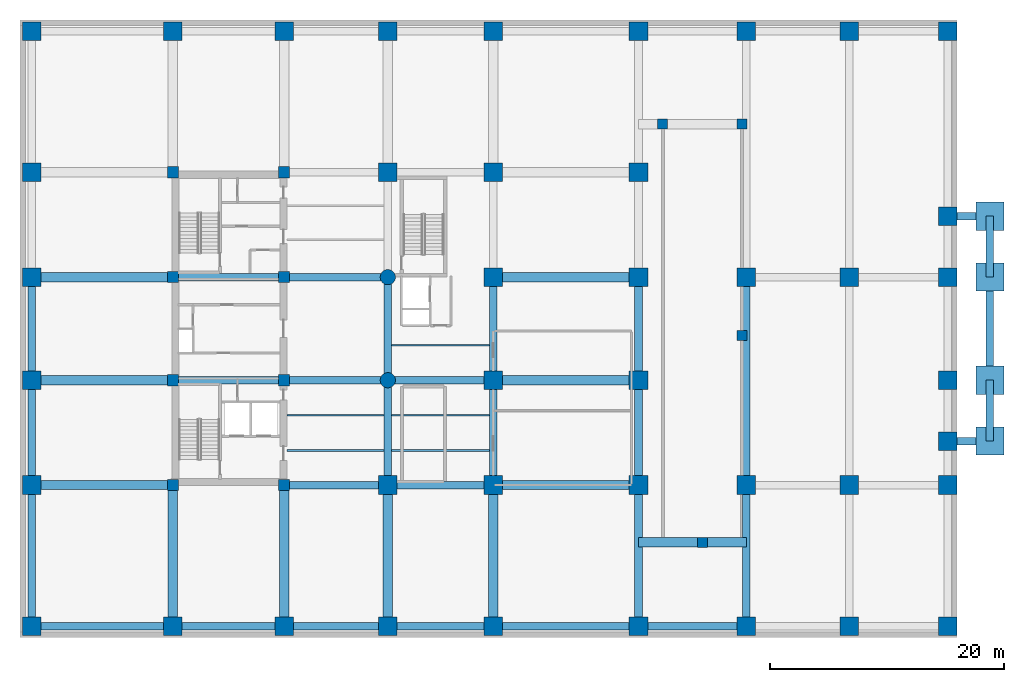
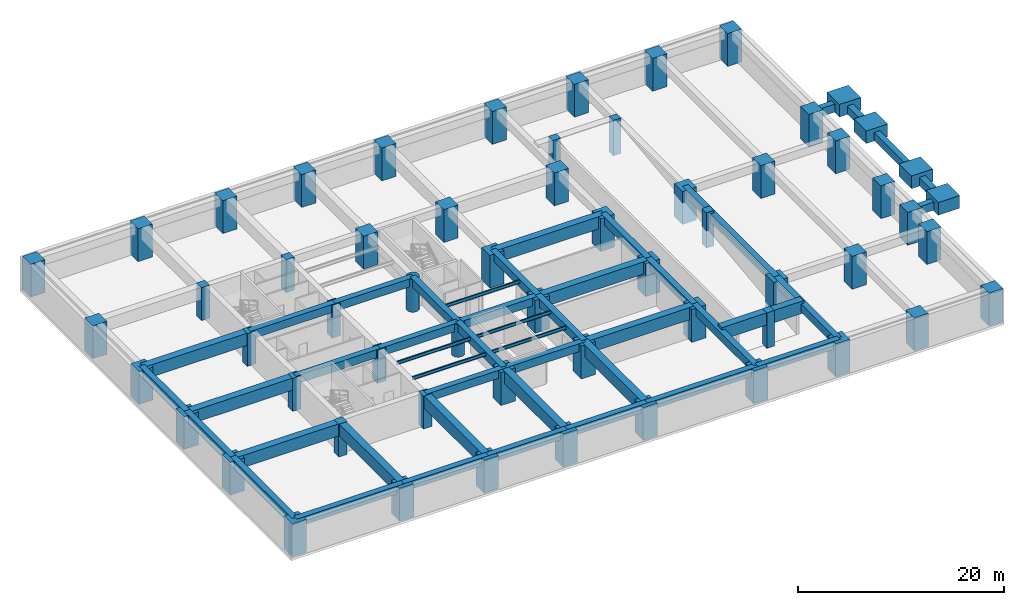
# One storey, part 1 of 7: 55 columns, 41 beams, 9 footings.
"""IFC4 building model written with IfcOpenShell, lengths in metres."""

import ifcopenshell
import ifcopenshell.guid

model = None  # the IFC model being written
_history = None  # IfcOwnerHistory: only IFC2X3 demands one
_inside = {}  # id of a spatial element -> (the spatial element, [elements in it])
_under = {}  # id of a project, library or spatial element -> (it, [spatial elements below it])
_declared = {}  # id of a project -> (the project, [libraries it declares])
_typed = {}  # id of a type object -> (the type object, [elements of that type])
_made_of = {}  # id of a material, layer set ... -> (it, [elements and type objects made of it])


def new_model(schema):
    """Start an empty IFC model of exactly this schema.

    Asked for "IFC4X3", IfcOpenShell would pick the latest addendum, in which some entities
    have other attributes; the version numbers below select the first issue.
    IFC2X3 requires an IfcOwnerHistory on every rooted entity: one is made here for all.
    """
    global model, _history
    if schema == "IFC4X3":
        model = ifcopenshell.file(schema_version=(4, 3, 0, 0))
    else:
        model = ifcopenshell.file(schema=schema)
    _inside.clear()
    _under.clear()
    _declared.clear()
    _typed.clear()
    _made_of.clear()
    _history = None
    if model.schema == "IFC2X3":
        org = make("IfcOrganization", Name="unknown")
        user = make(
            "IfcPersonAndOrganization",
            ThePerson=make("IfcPerson", FamilyName="unknown"),
            TheOrganization=org,
        )
        app = make(
            "IfcApplication",
            ApplicationDeveloper=org,
            Version="unknown",
            ApplicationFullName="unknown",
            ApplicationIdentifier="unknown",
        )
        _history = make(
            "IfcOwnerHistory",
            OwningUser=user,
            OwningApplication=app,
            ChangeAction="ADDED",
            CreationDate=0,
        )
    return model


def make(cls, **values):
    """One entity of the class cls with the attributes given. An attribute that is None is left unset."""
    return model.create_entity(
        cls, **{name: value for name, value in values.items() if value is not None}
    )


def rooted(cls, **values):
    """An entity with a GlobalId (a new one), such as an element, a storey or a relation."""
    return make(cls, GlobalId=ifcopenshell.guid.new(), OwnerHistory=_history, **values)


def si_unit(unit_type, name, prefix=None):
    """IfcSIUnit, for example si_unit("LENGTHUNIT", "METRE", prefix="MILLI")."""
    return make("IfcSIUnit", UnitType=unit_type, Prefix=prefix, Name=name)


def assignment(units):
    """IfcUnitAssignment: the units of a project."""
    return None if units is None else make("IfcUnitAssignment", Units=units)


def point(xyz):
    """IfcCartesianPoint."""
    return None if xyz is None else make("IfcCartesianPoint", Coordinates=xyz)


def direction(xyz):
    """IfcDirection."""
    return None if xyz is None else make("IfcDirection", DirectionRatios=xyz)


def frame(location, z_axis=None, x_axis=None):
    """IfcAxis2Placement3D, a coordinate frame: its origin and axes. An axis left out is left unset."""
    return make(
        "IfcAxis2Placement3D",
        Location=point(location),
        Axis=direction(z_axis),
        RefDirection=direction(x_axis),
    )


def frame_2d(location, x_axis=None):
    """IfcAxis2Placement2D, a coordinate frame in the plane: its origin and x axis."""
    return make(
        "IfcAxis2Placement2D", Location=point(location), RefDirection=direction(x_axis)
    )


def origin():
    """The frame at (0, 0, 0) with its axes left unset."""
    return frame((0.0, 0.0, 0.0))


def origin_2d():
    """The frame at (0, 0) in the plane with its x axis left unset."""
    return frame_2d((0.0, 0.0))


def place(relative_to, where):
    """IfcLocalPlacement: puts the frame where relative to a parent placement (None: the world)."""
    return make(
        "IfcLocalPlacement", PlacementRelTo=relative_to, RelativePlacement=where
    )


def context(
    kind, dimensions, precision=None, world=None, true_north=None, identifier=None
):
    """IfcGeometricRepresentationContext, for example the 3D "Model" context."""
    return make(
        "IfcGeometricRepresentationContext",
        ContextIdentifier=identifier,
        ContextType=kind,
        CoordinateSpaceDimension=dimensions,
        Precision=precision,
        WorldCoordinateSystem=world,
        TrueNorth=true_north,
    )


def subcontext(parent, identifier, kind, view, scale=None):
    """IfcGeometricRepresentationSubContext, for example "Body" below "Model"."""
    return make(
        "IfcGeometricRepresentationSubContext",
        ContextIdentifier=identifier,
        ContextType=kind,
        ParentContext=parent,
        TargetScale=scale,
        TargetView=view,
    )


def project(units=None, contexts=None):
    """IfcProject with its units and contexts."""
    return rooted(
        "IfcProject",
        Name="project",
        RepresentationContexts=contexts,
        UnitsInContext=assignment(units),
    )


def spatial(cls, under=None, at=None, **own):
    """A site, building, storey or space (cls), placed at a placement, below another one or the project."""
    s = rooted(cls, ObjectPlacement=at, **own)
    if under is not None:
        _under.setdefault(under.id(), (under, []))[1].append(s)
    return s


def polyline(points):
    """IfcPolyline through the points."""
    return make("IfcPolyline", Points=[point(p) for p in points])


def profile(cls, at=None, kind="AREA", **sizes):
    """A parametric profile (cls). Its sizes go by their IFC names, for example OverallWidth=200.0."""
    return make(cls, ProfileType=kind, Position=at, **sizes)


def rectangle(**sizes):
    """IfcRectangleProfileDef."""
    return profile("IfcRectangleProfileDef", **sizes)


def circle(**sizes):
    """IfcCircleProfileDef."""
    return profile("IfcCircleProfileDef", **sizes)


def i_section(**sizes):
    """IfcIShapeProfileDef."""
    return profile("IfcIShapeProfileDef", **sizes)


def outline(outer, holes=None, kind="AREA"):
    """IfcArbitraryClosedProfileDef: a profile drawn as a closed curve; with holes, ...WithVoids."""
    if holes is None:
        return make("IfcArbitraryClosedProfileDef", ProfileType=kind, OuterCurve=outer)
    return make(
        "IfcArbitraryProfileDefWithVoids",
        ProfileType=kind,
        OuterCurve=outer,
        InnerCurves=holes,
    )


def extrude(swept, where, along, depth):
    """IfcExtrudedAreaSolid: the profile swept, set in the frame where, extruded along a direction by depth."""
    return make(
        "IfcExtrudedAreaSolid",
        SweptArea=swept,
        Position=where,
        ExtrudedDirection=direction(along),
        Depth=depth,
    )


def shape(context_of_items, identifier, shape_type, items):
    """IfcShapeRepresentation: the items that make up one representation, for example the "Body"."""
    return make(
        "IfcShapeRepresentation",
        ContextOfItems=context_of_items,
        RepresentationIdentifier=identifier,
        RepresentationType=shape_type,
        Items=items,
    )


def material(Name=None, Category=None):
    """IfcMaterial."""
    return make("IfcMaterial", Name=Name, Category=Category)


def layer(
    of_material, thickness, ventilated=None, Name=None, Category=None, Priority=None
):
    """IfcMaterialLayer: one layer of a wall or slab, of a material (None: an air gap)."""
    return make(
        "IfcMaterialLayer",
        Material=of_material,
        LayerThickness=thickness,
        IsVentilated=ventilated,
        Name=Name,
        Category=Category,
        Priority=Priority,
    )


def layer_set(layers, Name=None):
    """IfcMaterialLayerSet."""
    return make("IfcMaterialLayerSet", MaterialLayers=layers, LayerSetName=Name)


def material_profile(
    of_material, cross_section, Name=None, Category=None, Priority=None
):
    """IfcMaterialProfile: a cross section and its material."""
    return make(
        "IfcMaterialProfile",
        Name=Name,
        Material=of_material,
        Profile=cross_section,
        Priority=Priority,
        Category=Category,
    )


def profile_set(profiles, Name=None, composite=None):
    """IfcMaterialProfileSet."""
    return make(
        "IfcMaterialProfileSet",
        Name=Name,
        MaterialProfiles=profiles,
        CompositeProfile=composite,
    )


def made_of(thing, what):
    """Note that an element or type object is made of a material, layer set ...; save() writes the relation."""
    if what is not None:
        _made_of.setdefault(what.id(), (what, []))[1].append(thing)
    return thing


def type_object(cls, material=None, **own):
    """A type object (cls), such as IfcWallType, which elements share."""
    return made_of(rooted(cls, **own), material)


def element(
    cls,
    number,
    at=None,
    inside=None,
    cuts=None,
    type_object=None,
    material=None,
    context=None,
    identifier="Body",
    shape_type=None,
    held_by="IfcProductDefinitionShape",
    body=None,
    shapes=None,
    **own,
):
    """One element of the class cls, such as IfcWall. Its Tag is "e" and its number.

    at: its placement. inside: the storey or other place that contains it. cuts: it is an
    opening in that element (IfcRelVoidsElement). A single representation is given by context,
    identifier, shape_type and body (its items); several are given by shapes. held_by: the class
    of the entity that holds the representations. save() writes the other relations.
    """
    e = rooted(cls, Tag="e%d" % number, ObjectPlacement=at, **own)
    if body is not None:
        shapes = [shape(context, identifier, shape_type, body)]
    if shapes is not None:
        e.Representation = make(held_by, Representations=shapes)
    if inside is not None:
        _inside.setdefault(inside.id(), (inside, []))[1].append(e)
    if cuts is not None:
        rooted(
            "IfcRelVoidsElement", RelatingBuildingElement=cuts, RelatedOpeningElement=e
        )
    if type_object is not None:
        _typed.setdefault(type_object.id(), (type_object, []))[1].append(e)
    return made_of(e, material)


def aggregate(whole, parts):
    """IfcRelAggregates: a whole, such as a stair, and the parts it consists of."""
    return rooted("IfcRelAggregates", RelatingObject=whole, RelatedObjects=parts)


def save(model, path):
    """Write the relations noted so far, then the file.

    IfcRelAggregates (storeys below a building ...), IfcRelContainedInSpatialStructure (elements
    in a storey), IfcRelDefinesByType, IfcRelAssociatesMaterial and IfcRelDeclares: one each for
    every whole, place, type object, material and project.
    """
    for whole, parts in _under.values():
        aggregate(whole, parts)
    for where, things in _inside.values():
        rooted(
            "IfcRelContainedInSpatialStructure",
            RelatedElements=things,
            RelatingStructure=where,
        )
    for kind, things in _typed.values():
        rooted("IfcRelDefinesByType", RelatedObjects=things, RelatingType=kind)
    for what, things in _made_of.values():
        rooted("IfcRelAssociatesMaterial", RelatedObjects=things, RelatingMaterial=what)
    for by, libraries in _declared.values():
        rooted("IfcRelDeclares", RelatingContext=by, RelatedDefinitions=libraries)
    model.write(path)


model = new_model("IFC4")

# Units and contexts
model_context = context("Model", 3, precision=1e-05, world=origin(), true_north=direction((0.0, 1.0)))
body_context = subcontext(model_context, "Body", "Model", "MODEL_VIEW")
ifc_project = project(units=[si_unit("LENGTHUNIT", "METRE"), si_unit("AREAUNIT", "SQUARE_METRE"), si_unit("VOLUMEUNIT", "CUBIC_METRE"), si_unit("PLANEANGLEUNIT", "RADIAN"), si_unit("MASSUNIT", "GRAM", prefix="KILO")], contexts=[model_context])

# Site, building, storey
site_placement = place(None, origin())
site = spatial("IfcSite", under=ifc_project, at=site_placement, CompositionType="ELEMENT")
building_placement = place(site_placement, origin())
building = spatial("IfcBuilding", under=site, at=building_placement, Name="Kundavana Baori Tower", CompositionType="ELEMENT")
storey_placement = place(building_placement, frame((0.0, 0.0, -4.199951171875)))
storey = spatial("IfcBuildingStorey", under=building, at=storey_placement, Name="B01", CompositionType="ELEMENT", Elevation=-4.199951171875)

# Footings
ifc_material_1 = material(Name="Concrete C40/50", Category="concrete")
ifc_material_profile_1 = material_profile(ifc_material_1, rectangle(XDim=0.64990234375, YDim=0.949951171875, at=origin_2d()), Name="RC BM 650x950")
ifc_profile_set_1 = profile_set([ifc_material_profile_1], Name="Concrete C40/50")
footing_type_1 = type_object("IfcFootingType", Name="FT-GB-650x950", PredefinedType="FOOTING_BEAM", material=ifc_profile_set_1)
for number, where, z_axis, x_axis, name in (
    (1, (82.39990234375, 19.0, 3.25), (1.0, 0.0, 0.0), (0.0, 1.0, 0.0), "Perimeter Ground Tie Beam FT-GB-E1"),
    (2, (82.39990234375, 38.199951171875, 3.25), (1.0, 0.0, 0.0), (0.0, 1.0, 0.0), "Perimeter Ground Tie Beam FT-GB-E2"),
):
    element("IfcFooting", number, at=place(storey_placement, frame(where, z_axis=z_axis, x_axis=x_axis)), inside=storey, type_object=footing_type_1, Name=name, PredefinedType="FOOTING_BEAM", context=body_context, shape_type="SweptSolid", body=[
        extrude(rectangle(XDim=0.64990234375, YDim=0.949951171875, at=origin_2d()), origin(), (0.0, 0.0, 1.0), 1.60009765625),
    ])
footing_1_placement = place(storey_placement, frame((85.199951171875, 19.0, 3.25), z_axis=(0.0, 1.0, 0.0), x_axis=(-1.0, 0.0, 0.0)))
element("IfcFooting", 3, at=footing_1_placement, inside=storey, type_object=footing_type_1, Name="Perimeter Ground Tie Beam FT-GB-PC1", PredefinedType="FOOTING_BEAM", context=body_context, shape_type="SweptSolid", body=[
    extrude(rectangle(XDim=0.64990234375, YDim=0.949951171875, at=origin_2d()), origin(), (0.0, 0.0, 1.0), 5.199951171875),
])
footing_2_placement = place(storey_placement, frame((85.199951171875, 24.199951171875, 3.25), z_axis=(0.0, 1.0, 0.0), x_axis=(-1.0, 0.0, 0.0)))
element("IfcFooting", 4, at=footing_2_placement, inside=storey, type_object=footing_type_1, Name="Perimeter Ground Tie Beam FT-GB-PC2", PredefinedType="FOOTING_BEAM", context=body_context, shape_type="SweptSolid", body=[
    extrude(rectangle(XDim=0.64990234375, YDim=0.949951171875, at=origin_2d()), origin(), (0.0, 0.0, 1.0), 8.800048828125),
])
footing_3_placement = place(storey_placement, frame((85.199951171875, 33.0, 3.25), z_axis=(0.0, 1.0, 0.0), x_axis=(-1.0, 0.0, 0.0)))
element("IfcFooting", 5, at=footing_3_placement, inside=storey, type_object=footing_type_1, Name="Perimeter Ground Tie Beam FT-GB-PC3", PredefinedType="FOOTING_BEAM", context=body_context, shape_type="SweptSolid", body=[
    extrude(rectangle(XDim=0.64990234375, YDim=0.949951171875, at=origin_2d()), origin(), (0.0, 0.0, 1.0), 5.199951171875),
])
ifc_material_2 = material(Name="Concrete C40/50", Category="concrete")
ifc_layer = layer(ifc_material_2, 1.199951171875, Name="FT-PAD-2400")
ifc_layer_set = layer_set([ifc_layer], Name="Concrete C40/50")
footing_type_2 = type_object("IfcFootingType", Name="FT-PAD-2400", PredefinedType="PAD_FOOTING", material=ifc_layer_set)
footing_4_placement = place(storey_placement, frame((0.0, 0.0, 2.699951171875)))
element("IfcFooting", 6, at=footing_4_placement, inside=storey, type_object=footing_type_2, Name="Porte-Cochere Pad Footing PAD-1", PredefinedType="PAD_FOOTING", context=body_context, shape_type="SweptSolid", body=[
    extrude(outline(polyline([(84.0, 17.800048828125), (86.39990234375, 17.800048828125), (86.39990234375, 20.199951171875), (84.0, 20.199951171875), (84.0, 17.800048828125)])), origin(), (0.0, 0.0, 1.0), 1.5),
])
footing_5_placement = place(storey_placement, frame((0.0, 0.0, 2.699951171875)))
element("IfcFooting", 7, at=footing_5_placement, inside=storey, type_object=footing_type_2, Name="Porte-Cochere Pad Footing PAD-2", PredefinedType="PAD_FOOTING", context=body_context, shape_type="SweptSolid", body=[
    extrude(outline(polyline([(84.0, 23.0), (86.39990234375, 23.0), (86.39990234375, 25.39990234375), (84.0, 25.39990234375), (84.0, 23.0)])), origin(), (0.0, 0.0, 1.0), 1.5),
])
footing_6_placement = place(storey_placement, frame((0.0, 0.0, 2.699951171875)))
element("IfcFooting", 8, at=footing_6_placement, inside=storey, type_object=footing_type_2, Name="Porte-Cochere Pad Footing PAD-3", PredefinedType="PAD_FOOTING", context=body_context, shape_type="SweptSolid", body=[
    extrude(outline(polyline([(84.0, 31.800048828125), (86.39990234375, 31.800048828125), (86.39990234375, 34.199951171875), (84.0, 34.199951171875), (84.0, 31.800048828125)])), origin(), (0.0, 0.0, 1.0), 1.5),
])
footing_7_placement = place(storey_placement, frame((0.0, 0.0, 2.699951171875)))
element("IfcFooting", 9, at=footing_7_placement, inside=storey, type_object=footing_type_2, Name="Porte-Cochere Pad Footing PAD-4", PredefinedType="PAD_FOOTING", context=body_context, shape_type="SweptSolid", body=[
    extrude(outline(polyline([(84.0, 37.0), (86.39990234375, 37.0), (86.39990234375, 39.39990234375), (84.0, 39.39990234375), (84.0, 37.0)])), origin(), (0.0, 0.0, 1.0), 1.5),
])

# Columns
ifc_material_3 = material(Name="Concrete C60/75", Category="concrete")
ifc_material_profile_2 = material_profile(ifc_material_3, rectangle(XDim=1.60009765625, YDim=1.60009765625, at=origin_2d()), Name="RC 1600x1600")
ifc_profile_set_2 = profile_set([ifc_material_profile_2], Name="Concrete C60/75")
column_type_1 = type_object("IfcColumnType", Name="COL-RC-1600", PredefinedType="COLUMN", material=ifc_profile_set_2)
for number, where, z_axis, x_axis, name in (
    (10, (33.800048828125, 15.25, 0.0), (0.0, 0.0, 1.0), (1.0, 0.0, 0.0), "B01 Interior Column IC-5C"),
    (11, (33.800048828125, 41.949951171875, 0.0), (0.0, 0.0, 1.0), (1.0, 0.0, 0.0), "B01 Interior Column IC-5F"),
    (12, (42.800048828125, 15.25, 0.0), (0.0, 0.0, 1.0), (1.0, 0.0, 0.0), "B01 Interior Column IC-6C"),
    (13, (42.800048828125, 24.199951171875, 0.0), (0.0, 0.0, 1.0), (1.0, 0.0, 0.0), "B01 Interior Column IC-6D"),
    (14, (42.800048828125, 33.0, 0.0), (0.0, 0.0, 1.0), (1.0, 0.0, 0.0), "B01 Interior Column IC-6E"),
    (15, (42.800048828125, 41.949951171875, 0.0), (0.0, 0.0, 1.0), (1.0, 0.0, 0.0), "B01 Interior Column IC-6F"),
    (16, (3.39990234375, 3.199951171875, 0.0), (0.0, 0.0, 1.0), (1.0, 0.0, 0.0), "B01 Stone-Clad Perimeter Frame Column BS-S1"),
    (17, (3.39990234375, 54.0, 0.0), (0.0, 0.0, 1.0), (1.0, 0.0, 0.0), "B01 Stone-Clad Perimeter Frame Column BS-N1"),
    (18, (15.449951171875, 3.199951171875, 0.0), (0.0, 0.0, 1.0), (1.0, 0.0, 0.0), "B01 Stone-Clad Perimeter Frame Column BS-S2"),
    (19, (15.449951171875, 54.0, 0.0), (0.0, 0.0, 1.0), (1.0, 0.0, 0.0), "B01 Stone-Clad Perimeter Frame Column BS-N2"),
    (20, (24.949951171875, 3.199951171875, 0.0), (0.0, 0.0, 1.0), (1.0, 0.0, 0.0), "B01 Stone-Clad Perimeter Frame Column BS-S3"),
    (21, (24.949951171875, 54.0, 0.0), (0.0, 0.0, 1.0), (1.0, 0.0, 0.0), "B01 Stone-Clad Perimeter Frame Column BS-N3"),
    (22, (33.800048828125, 3.199951171875, 0.0), (0.0, 0.0, 1.0), (1.0, 0.0, 0.0), "B01 Stone-Clad Perimeter Frame Column BS-S4"),
    (23, (33.800048828125, 54.0, 0.0), (0.0, 0.0, 1.0), (1.0, 0.0, 0.0), "B01 Stone-Clad Perimeter Frame Column BS-N4"),
    (24, (42.800048828125, 3.199951171875, 0.0), (0.0, 0.0, 1.0), (1.0, 0.0, 0.0), "B01 Stone-Clad Perimeter Frame Column BS-S5"),
    (25, (42.800048828125, 54.0, 0.0), (0.0, 0.0, 1.0), (1.0, 0.0, 0.0), "B01 Stone-Clad Perimeter Frame Column BS-N5"),
    (26, (55.199951171875, 3.199951171875, 0.0), (0.0, 0.0, 1.0), (1.0, 0.0, 0.0), "B01 Stone-Clad Perimeter Frame Column BS-S6"),
    (27, (55.199951171875, 54.0, 0.0), (0.0, 0.0, 1.0), (1.0, 0.0, 0.0), "B01 Stone-Clad Perimeter Frame Column BS-N6"),
    (28, (3.39990234375, 15.25, 0.0), (0.0, 0.0, 1.0), (1.0, 0.0, 0.0), "B01 Stone-Clad Perimeter Frame Column BS-W2"),
    (29, (55.199951171875, 15.25, 0.0), (0.0, 0.0, 1.0), (1.0, 0.0, 0.0), "B01 Stone-Clad Perimeter Frame Column BS-E2"),
    (30, (3.39990234375, 24.199951171875, 0.0), (0.0, 0.0, 1.0), (1.0, 0.0, 0.0), "B01 Stone-Clad Perimeter Frame Column BS-W3"),
    (31, (55.199951171875, 24.199951171875, 0.0), (0.0, 0.0, 1.0), (1.0, 0.0, 0.0), "B01 Stone-Clad Perimeter Frame Column BS-E3"),
    (32, (3.39990234375, 33.0, 0.0), (0.0, 0.0, 1.0), (1.0, 0.0, 0.0), "B01 Stone-Clad Perimeter Frame Column BS-W4"),
    (33, (55.199951171875, 33.0, 0.0), (0.0, 0.0, 1.0), (1.0, 0.0, 0.0), "B01 Stone-Clad Perimeter Frame Column BS-E4"),
    (34, (3.39990234375, 41.949951171875, 0.0), (0.0, 0.0, 1.0), (1.0, 0.0, 0.0), "B01 Stone-Clad Perimeter Frame Column BS-W5"),
    (35, (55.199951171875, 41.949951171875, 0.0), (0.0, 0.0, 1.0), (1.0, 0.0, 0.0), "B01 Stone-Clad Perimeter Frame Column BS-E5"),
    (36, (64.39990234375, 3.199951171875, 0.0), (0.0, 0.0, 1.0), (1.0, 0.0, 0.0), "B01 Stone-Clad Perimeter Frame Column BS-EW1-1"),
    (37, (64.39990234375, 15.25, 0.0), (0.0, 0.0, 1.0), (1.0, 0.0, 0.0), "B01 Stone-Clad Perimeter Frame Column BS-EW1-2"),
    (38, (64.39990234375, 33.0, 0.0), (0.0, 0.0, 1.0), (1.0, 0.0, 0.0), "B01 Stone-Clad Perimeter Frame Column BS-EW1-3"),
    (39, (64.39990234375, 54.0, 0.0), (0.0, 0.0, 1.0), (1.0, 0.0, 0.0), "B01 Stone-Clad Perimeter Frame Column BS-EW1-4"),
    (40, (73.199951171875, 3.199951171875, 0.0), (0.0, 0.0, 1.0), (1.0, 0.0, 0.0), "B01 Stone-Clad Perimeter Frame Column BS-EW2-1"),
    (41, (73.199951171875, 15.25, 0.0), (0.0, 0.0, 1.0), (1.0, 0.0, 0.0), "B01 Stone-Clad Perimeter Frame Column BS-EW2-2"),
    (42, (73.199951171875, 33.0, 0.0), (0.0, 0.0, 1.0), (1.0, 0.0, 0.0), "B01 Stone-Clad Perimeter Frame Column BS-EW2-3"),
    (43, (73.199951171875, 54.0, 0.0), (0.0, 0.0, 1.0), (1.0, 0.0, 0.0), "B01 Stone-Clad Perimeter Frame Column BS-EW2-4"),
    (44, (81.60009765625, 3.199951171875, 0.0), (0.0, 0.0, 1.0), (1.0, 0.0, 0.0), "B01 Stone-Clad Perimeter Frame Column BS-EW3-1"),
    (45, (81.60009765625, 15.25, 0.0), (0.0, 0.0, 1.0), (1.0, 0.0, 0.0), "B01 Stone-Clad Perimeter Frame Column BS-EW3-2"),
    (46, (81.60009765625, 19.0, 0.0), (0.0, 0.0, 1.0), (1.0, 0.0, 0.0), "B01 Stone-Clad Perimeter Frame Column BS-EW3-3"),
    (47, (81.60009765625, 24.199951171875, 0.0), (0.0, 0.0, 1.0), (1.0, 0.0, 0.0), "B01 Stone-Clad Perimeter Frame Column BS-EW3-4"),
    (48, (81.60009765625, 33.0, 0.0), (0.0, 0.0, 1.0), (1.0, 0.0, 0.0), "B01 Stone-Clad Perimeter Frame Column BS-EW3-5"),
    (49, (81.60009765625, 38.199951171875, 0.0), (0.0, 0.0, 1.0), (1.0, 0.0, 0.0), "B01 Stone-Clad Perimeter Frame Column BS-EW3-6"),
    (50, (81.60009765625, 54.0, 0.0), (0.0, 0.0, 1.0), (1.0, 0.0, 0.0), "B01 Stone-Clad Perimeter Frame Column BS-EW3-7"),
):
    element("IfcColumn", number, at=place(storey_placement, frame(where, z_axis=z_axis, x_axis=x_axis)), inside=storey, type_object=column_type_1, Name=name, PredefinedType="COLUMN", context=body_context, shape_type="SweptSolid", body=[
        extrude(rectangle(XDim=1.60009765625, YDim=1.60009765625, at=origin_2d()), origin(), (0.0, 0.0, 1.0), 3.89990234375),
    ])
ifc_material_4 = material(Name="Concrete C50/60", Category="concrete")
ifc_material_profile_3 = material_profile(ifc_material_4, rectangle(XDim=0.85009765625, YDim=0.85009765625, at=origin_2d()), Name="RC 850x850")
ifc_profile_set_3 = profile_set([ifc_material_profile_3], Name="Concrete C50/60")
column_type_2 = type_object("IfcColumnType", Name="COL-RC-850", PredefinedType="COLUMN", material=ifc_profile_set_3)
for number, where, z_axis, x_axis, name in (
    (51, (60.64990234375, 10.360107421875, 0.0), (0.0, 0.0, 1.0), (1.0, 0.0, 0.0), "B01 Ramp Portal Headhouse Support Column S"),
    (52, (57.260009765625, 46.06005859375, 0.0), (0.0, 0.0, 1.0), (1.0, 0.0, 0.0), "B01 Ramp Portal Headhouse Support Column N"),
    (53, (64.0400390625, 46.06005859375, 0.0), (0.0, 0.0, 1.0), (1.0, 0.0, 0.0), "B01 Ramp Portal Headhouse Support Column NE"),
    (54, (64.0400390625, 28.0, 0.0), (0.0, 0.0, 1.0), (1.0, 0.0, 0.0), "B01 Ramp Portal Headhouse Support Column E"),
):
    element("IfcColumn", number, at=place(storey_placement, frame(where, z_axis=z_axis, x_axis=x_axis)), inside=storey, type_object=column_type_2, Name=name, PredefinedType="COLUMN", context=body_context, shape_type="SweptSolid", body=[
        extrude(rectangle(XDim=0.85009765625, YDim=0.85009765625, at=origin_2d()), origin(), (0.0, 0.0, 1.0), 4.199951171875),
    ])
ifc_material_5 = material(Name="Concrete C50/60", Category="concrete")
ifc_material_profile_4 = material_profile(ifc_material_5, rectangle(XDim=0.949951171875, YDim=0.949951171875, at=origin_2d()), Name="RC 950x950")
ifc_profile_set_4 = profile_set([ifc_material_profile_4], Name="Concrete C50/60")
column_type_3 = type_object("IfcColumnType", Name="COL-RC-950", PredefinedType="COLUMN", material=ifc_profile_set_4)
for number, where, z_axis, x_axis, name in (
    (55, (15.449951171875, 15.25, 0.0), (0.0, 0.0, 1.0), (1.0, 0.0, 0.0), "B01 Interior Column IC-3C"),
    (56, (15.449951171875, 24.199951171875, 0.0), (0.0, 0.0, 1.0), (1.0, 0.0, 0.0), "B01 Interior Column IC-3D"),
    (57, (15.449951171875, 33.0, 0.0), (0.0, 0.0, 1.0), (1.0, 0.0, 0.0), "B01 Interior Column IC-3E"),
    (58, (15.449951171875, 41.949951171875, 0.0), (0.0, 0.0, 1.0), (1.0, 0.0, 0.0), "B01 Interior Column IC-3F"),
    (59, (24.949951171875, 15.25, 0.0), (0.0, 0.0, 1.0), (1.0, 0.0, 0.0), "B01 Interior Column IC-4C"),
    (60, (24.949951171875, 24.199951171875, 0.0), (0.0, 0.0, 1.0), (1.0, 0.0, 0.0), "B01 Interior Column IC-4D"),
    (61, (24.949951171875, 33.0, 0.0), (0.0, 0.0, 1.0), (1.0, 0.0, 0.0), "B01 Interior Column IC-4E"),
    (62, (24.949951171875, 41.949951171875, 0.0), (0.0, 0.0, 1.0), (1.0, 0.0, 0.0), "B01 Interior Column IC-4F"),
):
    element("IfcColumn", number, at=place(storey_placement, frame(where, z_axis=z_axis, x_axis=x_axis)), inside=storey, type_object=column_type_3, Name=name, PredefinedType="COLUMN", context=body_context, shape_type="SweptSolid", body=[
        extrude(rectangle(XDim=0.949951171875, YDim=0.949951171875, at=origin_2d()), origin(), (0.0, 0.0, 1.0), 3.89990234375),
    ])
ifc_material_6 = material(Name="Concrete C60/75", Category="concrete")
ifc_material_profile_5 = material_profile(ifc_material_6, circle(Radius=0.64990234375, at=origin_2d()), Name="RC D1300")
ifc_profile_set_5 = profile_set([ifc_material_profile_5], Name="Concrete C60/75")
column_type_4 = type_object("IfcColumnType", Name="COL-RC-D1300", PredefinedType="COLUMN", material=ifc_profile_set_5)
for number, where, z_axis, x_axis, name in (
    (63, (33.800048828125, 24.199951171875, 0.0), (0.0, 0.0, 1.0), (1.0, 0.0, 0.0), "B01 Interior Column IC-5D"),
    (64, (33.800048828125, 33.0, 0.0), (0.0, 0.0, 1.0), (1.0, 0.0, 0.0), "B01 Interior Column IC-5E"),
):
    element("IfcColumn", number, at=place(storey_placement, frame(where, z_axis=z_axis, x_axis=x_axis)), inside=storey, type_object=column_type_4, Name=name, PredefinedType="COLUMN", context=body_context, shape_type="SweptSolid", body=[
        extrude(circle(Radius=0.64990234375, at=origin_2d()), origin(), (0.0, 0.0, 1.0), 3.89990234375),
    ])

# Beams
ifc_material_7 = material(Name="Structural Steel S355JR", Category="steel")
ifc_material_profile_6 = material_profile(ifc_material_7, i_section(OverallWidth=0.139892578125, OverallDepth=0.39990234375, WebThickness=0.0087890625, FlangeThickness=0.01611328125, FilletRadius=0.013916015625, at=origin_2d()), Name="ISMB 400")
ifc_profile_set_6 = profile_set([ifc_material_profile_6], Name="Structural Steel S355JR")
beam_type_1 = type_object("IfcBeamType", Name="BM-JST-400", PredefinedType="JOIST", material=ifc_profile_set_6)
for number, where, z_axis, x_axis, name in (
    (65, (25.179931640625, 18.199951171875, 3.699951171875), (1.0, 0.0, 0.0), (0.0, 1.0, 0.0), "B01 Central Bay Composite Floor Joist C1"),
    (66, (25.179931640625, 21.199951171875, 3.699951171875), (1.0, 0.0, 0.0), (0.0, 1.0, 0.0), "B01 Central Bay Composite Floor Joist C2"),
):
    element("IfcBeam", number, at=place(storey_placement, frame(where, z_axis=z_axis, x_axis=x_axis)), inside=storey, type_object=beam_type_1, Name=name, PredefinedType="JOIST", context=body_context, shape_type="SweptSolid", body=[
        extrude(i_section(OverallWidth=0.139892578125, OverallDepth=0.39990234375, WebThickness=0.0087890625, FlangeThickness=0.01611328125, FilletRadius=0.013916015625, at=origin_2d()), origin(), (0.0, 0.0, 1.0), 8.295166015625),
    ])
for number, where, z_axis, x_axis, name in (
    (67, (34.125, 18.199951171875, 3.699951171875), (1.0, 0.0, 0.0), (0.0, 1.0, 0.0), "B01 East Bay Composite Floor Joist E1"),
    (68, (34.125, 21.199951171875, 3.699951171875), (1.0, 0.0, 0.0), (0.0, 1.0, 0.0), "B01 East Bay Composite Floor Joist E2"),
    (69, (34.125, 27.199951171875, 3.699951171875), (1.0, 0.0, 0.0), (0.0, 1.0, 0.0), "B01 East Bay Composite Floor Joist E3"),
):
    element("IfcBeam", number, at=place(storey_placement, frame(where, z_axis=z_axis, x_axis=x_axis)), inside=storey, type_object=beam_type_1, Name=name, PredefinedType="JOIST", context=body_context, shape_type="SweptSolid", body=[
        extrude(i_section(OverallWidth=0.139892578125, OverallDepth=0.39990234375, WebThickness=0.0087890625, FlangeThickness=0.01611328125, FilletRadius=0.013916015625, at=origin_2d()), origin(), (0.0, 0.0, 1.0), 8.35009765625),
    ])
ifc_material_8 = material(Name="Concrete C50/60", Category="concrete")
ifc_material_profile_7 = material_profile(ifc_material_8, rectangle(XDim=0.64990234375, YDim=0.949951171875, at=origin_2d()), Name="RC BM 650x950")
ifc_profile_set_7 = profile_set([ifc_material_profile_7], Name="Concrete C50/60")
beam_type_2 = type_object("IfcBeamType", Name="BM-RC-950", PredefinedType="BEAM", material=ifc_profile_set_7)
beam_1_placement = place(storey_placement, frame((24.949951171875, 15.25, 3.425048828125), z_axis=(1.0, 0.0, 0.0), x_axis=(0.0, 1.0, 0.0)))
element("IfcBeam", 70, at=beam_1_placement, inside=storey, type_object=beam_type_2, Name="B01 Primary Grid Girder GX-1-2", PredefinedType="BEAM", context=body_context, shape_type="SweptSolid", body=[
    extrude(rectangle(XDim=0.64990234375, YDim=0.949951171875, at=origin_2d()), origin(), (0.0, 0.0, 1.0), 8.85009765625),
])
beam_2_placement = place(storey_placement, frame((33.800048828125, 15.25, 3.425048828125), z_axis=(1.0, 0.0, 0.0), x_axis=(0.0, 1.0, 0.0)))
element("IfcBeam", 71, at=beam_2_placement, inside=storey, type_object=beam_type_2, Name="B01 Primary Grid Girder GX-1-3", PredefinedType="BEAM", context=body_context, shape_type="SweptSolid", body=[
    extrude(rectangle(XDim=0.64990234375, YDim=0.949951171875, at=origin_2d()), origin(), (0.0, 0.0, 1.0), 9.0),
])
beam_3_placement = place(storey_placement, frame((15.449951171875, 24.199951171875, 3.425048828125), z_axis=(1.0, 0.0, 0.0), x_axis=(0.0, 1.0, 0.0)))
element("IfcBeam", 72, at=beam_3_placement, inside=storey, type_object=beam_type_2, Name="B01 Primary Grid Girder GX-2-1", PredefinedType="BEAM", context=body_context, shape_type="SweptSolid", body=[
    extrude(rectangle(XDim=0.64990234375, YDim=0.949951171875, at=origin_2d()), origin(), (0.0, 0.0, 1.0), 9.5),
])
beam_4_placement = place(storey_placement, frame((24.949951171875, 24.199951171875, 3.425048828125), z_axis=(1.0, 0.0, 0.0), x_axis=(0.0, 1.0, 0.0)))
element("IfcBeam", 73, at=beam_4_placement, inside=storey, type_object=beam_type_2, Name="B01 Primary Grid Girder GX-2-2", PredefinedType="BEAM", context=body_context, shape_type="SweptSolid", body=[
    extrude(rectangle(XDim=0.64990234375, YDim=0.949951171875, at=origin_2d()), origin(), (0.0, 0.0, 1.0), 8.85009765625),
])
beam_5_placement = place(storey_placement, frame((33.800048828125, 24.199951171875, 3.425048828125), z_axis=(1.0, 0.0, 0.0), x_axis=(0.0, 1.0, 0.0)))
element("IfcBeam", 74, at=beam_5_placement, inside=storey, type_object=beam_type_2, Name="B01 Primary Grid Girder GX-2-3", PredefinedType="BEAM", context=body_context, shape_type="SweptSolid", body=[
    extrude(rectangle(XDim=0.64990234375, YDim=0.949951171875, at=origin_2d()), origin(), (0.0, 0.0, 1.0), 9.0),
])
beam_6_placement = place(storey_placement, frame((15.449951171875, 33.0, 3.425048828125), z_axis=(1.0, 0.0, 0.0), x_axis=(0.0, 1.0, 0.0)))
element("IfcBeam", 75, at=beam_6_placement, inside=storey, type_object=beam_type_2, Name="B01 Primary Grid Girder GX-3-1", PredefinedType="BEAM", context=body_context, shape_type="SweptSolid", body=[
    extrude(rectangle(XDim=0.64990234375, YDim=0.949951171875, at=origin_2d()), origin(), (0.0, 0.0, 1.0), 9.5),
])
beam_7_placement = place(storey_placement, frame((24.949951171875, 33.0, 3.425048828125), z_axis=(1.0, 0.0, 0.0), x_axis=(0.0, 1.0, 0.0)))
element("IfcBeam", 76, at=beam_7_placement, inside=storey, type_object=beam_type_2, Name="B01 Primary Grid Girder GX-3-2", PredefinedType="BEAM", context=body_context, shape_type="SweptSolid", body=[
    extrude(rectangle(XDim=0.64990234375, YDim=0.949951171875, at=origin_2d()), origin(), (0.0, 0.0, 1.0), 8.85009765625),
])
beam_8_placement = place(storey_placement, frame((33.800048828125, 15.25, 3.425048828125), z_axis=(0.0, 1.0, 0.0), x_axis=(-1.0, 0.0, 0.0)))
element("IfcBeam", 77, at=beam_8_placement, inside=storey, type_object=beam_type_2, Name="B01 Primary Grid Girder GY-3-1", PredefinedType="BEAM", context=body_context, shape_type="SweptSolid", body=[
    extrude(rectangle(XDim=0.64990234375, YDim=0.949951171875, at=origin_2d()), origin(), (0.0, 0.0, 1.0), 8.949951171875),
])
beam_9_placement = place(storey_placement, frame((33.800048828125, 24.199951171875, 3.425048828125), z_axis=(0.0, 1.0, 0.0), x_axis=(-1.0, 0.0, 0.0)))
element("IfcBeam", 78, at=beam_9_placement, inside=storey, type_object=beam_type_2, Name="B01 Primary Grid Girder GY-3-2", PredefinedType="BEAM", context=body_context, shape_type="SweptSolid", body=[
    extrude(rectangle(XDim=0.64990234375, YDim=0.949951171875, at=origin_2d()), origin(), (0.0, 0.0, 1.0), 8.800048828125),
])
beam_10_placement = place(storey_placement, frame((42.800048828125, 15.25, 3.425048828125), z_axis=(0.0, 1.0, 0.0), x_axis=(-1.0, 0.0, 0.0)))
element("IfcBeam", 79, at=beam_10_placement, inside=storey, type_object=beam_type_2, Name="B01 Primary Grid Girder GY-4-1", PredefinedType="BEAM", context=body_context, shape_type="SweptSolid", body=[
    extrude(rectangle(XDim=0.64990234375, YDim=0.949951171875, at=origin_2d()), origin(), (0.0, 0.0, 1.0), 8.949951171875),
])
beam_11_placement = place(storey_placement, frame((42.800048828125, 24.199951171875, 3.425048828125), z_axis=(0.0, 1.0, 0.0), x_axis=(-1.0, 0.0, 0.0)))
element("IfcBeam", 80, at=beam_11_placement, inside=storey, type_object=beam_type_2, Name="B01 Primary Grid Girder GY-4-2", PredefinedType="BEAM", context=body_context, shape_type="SweptSolid", body=[
    extrude(rectangle(XDim=0.64990234375, YDim=0.949951171875, at=origin_2d()), origin(), (0.0, 0.0, 1.0), 8.800048828125),
])
beam_12_placement = place(storey_placement, frame((55.199951171875, 3.199951171875, 3.425048828125), z_axis=(1.0, 0.0, 0.0), x_axis=(0.0, 1.0, 0.0)))
element("IfcBeam", 81, at=beam_12_placement, inside=storey, type_object=beam_type_2, Name="B01 East Basement Wing Girder 1-1", PredefinedType="BEAM", context=body_context, shape_type="SweptSolid", body=[
    extrude(rectangle(XDim=0.64990234375, YDim=0.949951171875, at=origin_2d()), origin(), (0.0, 0.0, 1.0), 9.199951171875),
])
beam_13_placement = place(storey_placement, frame((64.39990234375, 3.199951171875, 3.425048828125), z_axis=(0.0, 1.0, 0.0), x_axis=(-1.0, 0.0, 0.0)))
element("IfcBeam", 82, at=beam_13_placement, inside=storey, type_object=beam_type_2, Name="B01 East Wing Transverse Girder 1-1", PredefinedType="BEAM", context=body_context, shape_type="SweptSolid", body=[
    extrude(rectangle(XDim=0.64990234375, YDim=0.949951171875, at=origin_2d()), origin(), (0.0, 0.0, 1.0), 12.050048828125),
])
beam_14_placement = place(storey_placement, frame((64.39990234375, 15.25, 3.425048828125), z_axis=(0.0, 1.0, 0.0), x_axis=(-1.0, 0.0, 0.0)))
element("IfcBeam", 83, at=beam_14_placement, inside=storey, type_object=beam_type_2, Name="B01 East Wing Transverse Girder 1-2", PredefinedType="BEAM", context=body_context, shape_type="SweptSolid", body=[
    extrude(rectangle(XDim=0.64990234375, YDim=0.949951171875, at=origin_2d()), origin(), (0.0, 0.0, 1.0), 17.75),
])
beam_15_placement = place(storey_placement, frame((3.39990234375, 3.199951171875, 3.425048828125), z_axis=(1.0, 0.0, 0.0), x_axis=(0.0, 1.0, 0.0)))
element("IfcBeam", 84, at=beam_15_placement, inside=storey, type_object=beam_type_2, Name="B01 Perimeter Frame Ring Beam S1", PredefinedType="BEAM", context=body_context, shape_type="SweptSolid", body=[
    extrude(rectangle(XDim=0.64990234375, YDim=0.949951171875, at=origin_2d()), origin(), (0.0, 0.0, 1.0), 12.050048828125),
])
beam_16_placement = place(storey_placement, frame((15.449951171875, 3.199951171875, 3.425048828125), z_axis=(1.0, 0.0, 0.0), x_axis=(0.0, 1.0, 0.0)))
element("IfcBeam", 85, at=beam_16_placement, inside=storey, type_object=beam_type_2, Name="B01 Perimeter Frame Ring Beam S2", PredefinedType="BEAM", context=body_context, shape_type="SweptSolid", body=[
    extrude(rectangle(XDim=0.64990234375, YDim=0.949951171875, at=origin_2d()), origin(), (0.0, 0.0, 1.0), 9.5),
])
beam_17_placement = place(storey_placement, frame((24.949951171875, 3.199951171875, 3.425048828125), z_axis=(1.0, 0.0, 0.0), x_axis=(0.0, 1.0, 0.0)))
element("IfcBeam", 86, at=beam_17_placement, inside=storey, type_object=beam_type_2, Name="B01 Perimeter Frame Ring Beam S3", PredefinedType="BEAM", context=body_context, shape_type="SweptSolid", body=[
    extrude(rectangle(XDim=0.64990234375, YDim=0.949951171875, at=origin_2d()), origin(), (0.0, 0.0, 1.0), 8.85009765625),
])
beam_18_placement = place(storey_placement, frame((33.800048828125, 3.199951171875, 3.425048828125), z_axis=(1.0, 0.0, 0.0), x_axis=(0.0, 1.0, 0.0)))
element("IfcBeam", 87, at=beam_18_placement, inside=storey, type_object=beam_type_2, Name="B01 Perimeter Frame Ring Beam S4", PredefinedType="BEAM", context=body_context, shape_type="SweptSolid", body=[
    extrude(rectangle(XDim=0.64990234375, YDim=0.949951171875, at=origin_2d()), origin(), (0.0, 0.0, 1.0), 9.0),
])
beam_19_placement = place(storey_placement, frame((42.800048828125, 3.199951171875, 3.425048828125), z_axis=(1.0, 0.0, 0.0), x_axis=(0.0, 1.0, 0.0)))
element("IfcBeam", 88, at=beam_19_placement, inside=storey, type_object=beam_type_2, Name="B01 Perimeter Frame Ring Beam S5", PredefinedType="BEAM", context=body_context, shape_type="SweptSolid", body=[
    extrude(rectangle(XDim=0.64990234375, YDim=0.949951171875, at=origin_2d()), origin(), (0.0, 0.0, 1.0), 12.39990234375),
])
beam_20_placement = place(storey_placement, frame((3.39990234375, 15.25, 3.425048828125), z_axis=(0.0, 1.0, 0.0), x_axis=(-1.0, 0.0, 0.0)))
element("IfcBeam", 89, at=beam_20_placement, inside=storey, type_object=beam_type_2, Name="B01 Perimeter Frame Ring Beam W1", PredefinedType="BEAM", context=body_context, shape_type="SweptSolid", body=[
    extrude(rectangle(XDim=0.64990234375, YDim=0.949951171875, at=origin_2d()), origin(), (0.0, 0.0, 1.0), 8.949951171875),
])
beam_21_placement = place(storey_placement, frame((3.39990234375, 24.199951171875, 3.425048828125), z_axis=(0.0, 1.0, 0.0), x_axis=(-1.0, 0.0, 0.0)))
element("IfcBeam", 90, at=beam_21_placement, inside=storey, type_object=beam_type_2, Name="B01 Perimeter Frame Ring Beam W2", PredefinedType="BEAM", context=body_context, shape_type="SweptSolid", body=[
    extrude(rectangle(XDim=0.64990234375, YDim=0.949951171875, at=origin_2d()), origin(), (0.0, 0.0, 1.0), 8.800048828125),
])
beam_22_placement = place(storey_placement, frame((55.199951171875, 15.25, 3.425048828125), z_axis=(0.0, 1.0, 0.0), x_axis=(-1.0, 0.0, 0.0)))
element("IfcBeam", 91, at=beam_22_placement, inside=storey, type_object=beam_type_2, Name="B01 Perimeter Frame Ring Beam E1", PredefinedType="BEAM", context=body_context, shape_type="SweptSolid", body=[
    extrude(rectangle(XDim=0.64990234375, YDim=0.949951171875, at=origin_2d()), origin(), (0.0, 0.0, 1.0), 8.949951171875),
])
beam_23_placement = place(storey_placement, frame((55.199951171875, 24.199951171875, 3.425048828125), z_axis=(0.0, 1.0, 0.0), x_axis=(-1.0, 0.0, 0.0)))
element("IfcBeam", 92, at=beam_23_placement, inside=storey, type_object=beam_type_2, Name="B01 Perimeter Frame Ring Beam E2", PredefinedType="BEAM", context=body_context, shape_type="SweptSolid", body=[
    extrude(rectangle(XDim=0.64990234375, YDim=0.949951171875, at=origin_2d()), origin(), (0.0, 0.0, 1.0), 8.800048828125),
])
for number, where, z_axis, x_axis, name in (
    (93, (3.39990234375, 3.199951171875, 3.425048828125), (0.0, 1.0, 0.0), (-1.0, 0.0, 0.0), "B01 Notched Corner Perimeter Beam SW"),
    (94, (55.199951171875, 3.199951171875, 3.425048828125), (0.0, 1.0, 0.0), (-1.0, 0.0, 0.0), "B01 Notched Corner Perimeter Beam SE"),
):
    element("IfcBeam", number, at=place(storey_placement, frame(where, z_axis=z_axis, x_axis=x_axis)), inside=storey, type_object=beam_type_2, Name=name, PredefinedType="BEAM", context=body_context, shape_type="SweptSolid", body=[
        extrude(rectangle(XDim=0.64990234375, YDim=0.949951171875, at=origin_2d()), origin(), (0.0, 0.0, 1.0), 12.050048828125),
    ])
ifc_material_9 = material(Name="Concrete C50/60", Category="concrete")
ifc_material_profile_8 = material_profile(ifc_material_9, rectangle(XDim=0.800048828125, YDim=1.449951171875, at=origin_2d()), Name="BM-TG-1")
ifc_profile_set_8 = profile_set([ifc_material_profile_8], Name="Concrete C50/60")
beam_type_3 = type_object("IfcBeamType", Name="BM-TG-1", PredefinedType="USERDEFINED", material=ifc_profile_set_8)
beam_24_placement = place(storey_placement, frame((55.199951171875, 10.360107421875, 3.474853515625), z_axis=(1.0, 0.0, 0.0), x_axis=(0.0, 1.0, 0.0)))
element("IfcBeam", 95, at=beam_24_placement, inside=storey, type_object=beam_type_3, Name="B01 Ramp Shaft South Transfer Girder", ObjectType="TRANSFER GIRDER", PredefinedType="USERDEFINED", context=body_context, shape_type="SweptSolid", body=[
    extrude(rectangle(XDim=0.800048828125, YDim=1.449951171875, at=origin_2d()), origin(), (0.0, 0.0, 1.0), 9.199951171875),
])
for number, where, z_axis, x_axis, name in (
    (96, (15.449951171875, 15.25, 3.175048828125), (0.0, -1.0, 0.0), (1.0, 0.0, 0.0), "B01 South Radial Transfer Girder S1"),
    (97, (24.949951171875, 15.25, 3.175048828125), (0.0, -1.0, 0.0), (1.0, 0.0, 0.0), "B01 South Radial Transfer Girder S2"),
    (98, (33.800048828125, 15.25, 3.175048828125), (0.0, -1.0, 0.0), (1.0, 0.0, 0.0), "B01 South Radial Transfer Girder S3"),
    (99, (42.800048828125, 15.25, 3.175048828125), (0.0, -1.0, 0.0), (1.0, 0.0, 0.0), "B01 South Radial Transfer Girder S4"),
    (100, (15.449951171875, 15.25, 3.175048828125), (-1.0, 0.0, 0.0), (0.0, -1.0, 0.0), "B01 West Radial Transfer Girder W1"),
):
    element("IfcBeam", number, at=place(storey_placement, frame(where, z_axis=z_axis, x_axis=x_axis)), inside=storey, type_object=beam_type_3, Name=name, ObjectType="TRANSFER GIRDER", PredefinedType="USERDEFINED", context=body_context, shape_type="SweptSolid", body=[
        extrude(rectangle(XDim=0.800048828125, YDim=1.449951171875, at=origin_2d()), origin(), (0.0, 0.0, 1.0), 12.050048828125),
    ])
beam_25_placement = place(storey_placement, frame((42.800048828125, 15.25, 3.175048828125), z_axis=(1.0, 0.0, 0.0), x_axis=(0.0, 1.0, 0.0)))
element("IfcBeam", 101, at=beam_25_placement, inside=storey, type_object=beam_type_3, Name="B01 East Radial Transfer Girder E1", ObjectType="TRANSFER GIRDER", PredefinedType="USERDEFINED", context=body_context, shape_type="SweptSolid", body=[
    extrude(rectangle(XDim=0.800048828125, YDim=1.449951171875, at=origin_2d()), origin(), (0.0, 0.0, 1.0), 12.39990234375),
])
beam_26_placement = place(storey_placement, frame((15.449951171875, 24.199951171875, 3.175048828125), z_axis=(-1.0, 0.0, 0.0), x_axis=(0.0, -1.0, 0.0)))
element("IfcBeam", 102, at=beam_26_placement, inside=storey, type_object=beam_type_3, Name="B01 West Radial Transfer Girder W2", ObjectType="TRANSFER GIRDER", PredefinedType="USERDEFINED", context=body_context, shape_type="SweptSolid", body=[
    extrude(rectangle(XDim=0.800048828125, YDim=1.449951171875, at=origin_2d()), origin(), (0.0, 0.0, 1.0), 12.050048828125),
])
beam_27_placement = place(storey_placement, frame((42.800048828125, 24.199951171875, 3.175048828125), z_axis=(1.0, 0.0, 0.0), x_axis=(0.0, 1.0, 0.0)))
element("IfcBeam", 103, at=beam_27_placement, inside=storey, type_object=beam_type_3, Name="B01 East Radial Transfer Girder E2", ObjectType="TRANSFER GIRDER", PredefinedType="USERDEFINED", context=body_context, shape_type="SweptSolid", body=[
    extrude(rectangle(XDim=0.800048828125, YDim=1.449951171875, at=origin_2d()), origin(), (0.0, 0.0, 1.0), 12.39990234375),
])
beam_28_placement = place(storey_placement, frame((15.449951171875, 33.0, 3.175048828125), z_axis=(-1.0, 0.0, 0.0), x_axis=(0.0, -1.0, 0.0)))
element("IfcBeam", 104, at=beam_28_placement, inside=storey, type_object=beam_type_3, Name="B01 West Radial Transfer Girder W3", ObjectType="TRANSFER GIRDER", PredefinedType="USERDEFINED", context=body_context, shape_type="SweptSolid", body=[
    extrude(rectangle(XDim=0.800048828125, YDim=1.449951171875, at=origin_2d()), origin(), (0.0, 0.0, 1.0), 12.050048828125),
])
beam_29_placement = place(storey_placement, frame((42.800048828125, 33.0, 3.175048828125), z_axis=(1.0, 0.0, 0.0), x_axis=(0.0, 1.0, 0.0)))
element("IfcBeam", 105, at=beam_29_placement, inside=storey, type_object=beam_type_3, Name="B01 East Radial Transfer Girder E3", ObjectType="TRANSFER GIRDER", PredefinedType="USERDEFINED", context=body_context, shape_type="SweptSolid", body=[
    extrude(rectangle(XDim=0.800048828125, YDim=1.449951171875, at=origin_2d()), origin(), (0.0, 0.0, 1.0), 12.39990234375),
])

save(model, "model.ifc")
